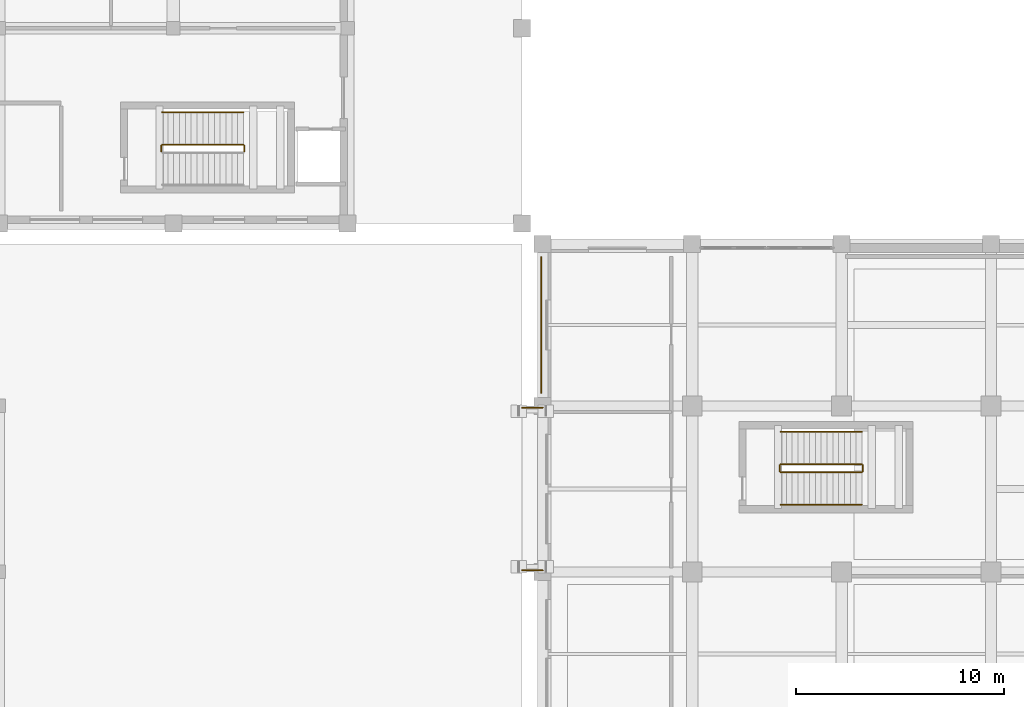
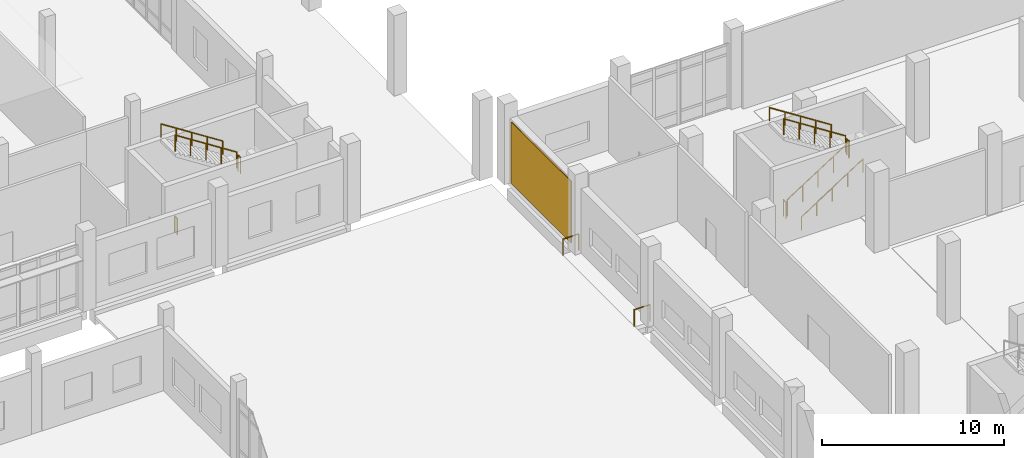
# One storey, part 75 of 79: 12 railings, 1 covering.
"""IFC4 building model written with IfcOpenShell, lengths in metres."""

import ifcopenshell
import ifcopenshell.guid

model = None  # the IFC model being written
_history = None  # IfcOwnerHistory: only IFC2X3 demands one
_inside = {}  # id of a spatial element -> (the spatial element, [elements in it])
_under = {}  # id of a project, library or spatial element -> (it, [spatial elements below it])
_declared = {}  # id of a project -> (the project, [libraries it declares])
_typed = {}  # id of a type object -> (the type object, [elements of that type])
_made_of = {}  # id of a material, layer set ... -> (it, [elements and type objects made of it])


def new_model(schema):
    """Start an empty IFC model of exactly this schema.

    Asked for "IFC4X3", IfcOpenShell would pick the latest addendum, in which some entities
    have other attributes; the version numbers below select the first issue.
    IFC2X3 requires an IfcOwnerHistory on every rooted entity: one is made here for all.
    """
    global model, _history
    if schema == "IFC4X3":
        model = ifcopenshell.file(schema_version=(4, 3, 0, 0))
    else:
        model = ifcopenshell.file(schema=schema)
    _inside.clear()
    _under.clear()
    _declared.clear()
    _typed.clear()
    _made_of.clear()
    _history = None
    if model.schema == "IFC2X3":
        org = make("IfcOrganization", Name="unknown")
        user = make(
            "IfcPersonAndOrganization",
            ThePerson=make("IfcPerson", FamilyName="unknown"),
            TheOrganization=org,
        )
        app = make(
            "IfcApplication",
            ApplicationDeveloper=org,
            Version="unknown",
            ApplicationFullName="unknown",
            ApplicationIdentifier="unknown",
        )
        _history = make(
            "IfcOwnerHistory",
            OwningUser=user,
            OwningApplication=app,
            ChangeAction="ADDED",
            CreationDate=0,
        )
    return model


def make(cls, **values):
    """One entity of the class cls with the attributes given. An attribute that is None is left unset."""
    return model.create_entity(
        cls, **{name: value for name, value in values.items() if value is not None}
    )


def rooted(cls, **values):
    """An entity with a GlobalId (a new one), such as an element, a storey or a relation."""
    return make(cls, GlobalId=ifcopenshell.guid.new(), OwnerHistory=_history, **values)


def si_unit(unit_type, name, prefix=None):
    """IfcSIUnit, for example si_unit("LENGTHUNIT", "METRE", prefix="MILLI")."""
    return make("IfcSIUnit", UnitType=unit_type, Prefix=prefix, Name=name)


def assignment(units):
    """IfcUnitAssignment: the units of a project."""
    return None if units is None else make("IfcUnitAssignment", Units=units)


def point(xyz):
    """IfcCartesianPoint."""
    return None if xyz is None else make("IfcCartesianPoint", Coordinates=xyz)


def direction(xyz):
    """IfcDirection."""
    return None if xyz is None else make("IfcDirection", DirectionRatios=xyz)


def frame(location, z_axis=None, x_axis=None):
    """IfcAxis2Placement3D, a coordinate frame: its origin and axes. An axis left out is left unset."""
    return make(
        "IfcAxis2Placement3D",
        Location=point(location),
        Axis=direction(z_axis),
        RefDirection=direction(x_axis),
    )


def frame_2d(location, x_axis=None):
    """IfcAxis2Placement2D, a coordinate frame in the plane: its origin and x axis."""
    return make(
        "IfcAxis2Placement2D", Location=point(location), RefDirection=direction(x_axis)
    )


def origin():
    """The frame at (0, 0, 0) with its axes left unset."""
    return frame((0.0, 0.0, 0.0))


def origin_2d():
    """The frame at (0, 0) in the plane with its x axis left unset."""
    return frame_2d((0.0, 0.0))


def place(relative_to, where):
    """IfcLocalPlacement: puts the frame where relative to a parent placement (None: the world)."""
    return make(
        "IfcLocalPlacement", PlacementRelTo=relative_to, RelativePlacement=where
    )


def context(
    kind, dimensions, precision=None, world=None, true_north=None, identifier=None
):
    """IfcGeometricRepresentationContext, for example the 3D "Model" context."""
    return make(
        "IfcGeometricRepresentationContext",
        ContextIdentifier=identifier,
        ContextType=kind,
        CoordinateSpaceDimension=dimensions,
        Precision=precision,
        WorldCoordinateSystem=world,
        TrueNorth=true_north,
    )


def subcontext(parent, identifier, kind, view, scale=None):
    """IfcGeometricRepresentationSubContext, for example "Body" below "Model"."""
    return make(
        "IfcGeometricRepresentationSubContext",
        ContextIdentifier=identifier,
        ContextType=kind,
        ParentContext=parent,
        TargetScale=scale,
        TargetView=view,
    )


def project(units=None, contexts=None):
    """IfcProject with its units and contexts."""
    return rooted(
        "IfcProject",
        Name="project",
        RepresentationContexts=contexts,
        UnitsInContext=assignment(units),
    )


def spatial(cls, under=None, at=None, **own):
    """A site, building, storey or space (cls), placed at a placement, below another one or the project."""
    s = rooted(cls, ObjectPlacement=at, **own)
    if under is not None:
        _under.setdefault(under.id(), (under, []))[1].append(s)
    return s


def profile(cls, at=None, kind="AREA", **sizes):
    """A parametric profile (cls). Its sizes go by their IFC names, for example OverallWidth=200.0."""
    return make(cls, ProfileType=kind, Position=at, **sizes)


def rectangle(**sizes):
    """IfcRectangleProfileDef."""
    return profile("IfcRectangleProfileDef", **sizes)


def circle(**sizes):
    """IfcCircleProfileDef."""
    return profile("IfcCircleProfileDef", **sizes)


def extrude(swept, where, along, depth):
    """IfcExtrudedAreaSolid: the profile swept, set in the frame where, extruded along a direction by depth."""
    return make(
        "IfcExtrudedAreaSolid",
        SweptArea=swept,
        Position=where,
        ExtrudedDirection=direction(along),
        Depth=depth,
    )


def shape(context_of_items, identifier, shape_type, items):
    """IfcShapeRepresentation: the items that make up one representation, for example the "Body"."""
    return make(
        "IfcShapeRepresentation",
        ContextOfItems=context_of_items,
        RepresentationIdentifier=identifier,
        RepresentationType=shape_type,
        Items=items,
    )


def material(Name=None, Category=None):
    """IfcMaterial."""
    return make("IfcMaterial", Name=Name, Category=Category)


def layer(
    of_material, thickness, ventilated=None, Name=None, Category=None, Priority=None
):
    """IfcMaterialLayer: one layer of a wall or slab, of a material (None: an air gap)."""
    return make(
        "IfcMaterialLayer",
        Material=of_material,
        LayerThickness=thickness,
        IsVentilated=ventilated,
        Name=Name,
        Category=Category,
        Priority=Priority,
    )


def layer_set(layers, Name=None):
    """IfcMaterialLayerSet."""
    return make("IfcMaterialLayerSet", MaterialLayers=layers, LayerSetName=Name)


def made_of(thing, what):
    """Note that an element or type object is made of a material, layer set ...; save() writes the relation."""
    if what is not None:
        _made_of.setdefault(what.id(), (what, []))[1].append(thing)
    return thing


def type_object(cls, material=None, **own):
    """A type object (cls), such as IfcWallType, which elements share."""
    return made_of(rooted(cls, **own), material)


def element(
    cls,
    number,
    at=None,
    inside=None,
    cuts=None,
    type_object=None,
    material=None,
    context=None,
    identifier="Body",
    shape_type=None,
    held_by="IfcProductDefinitionShape",
    body=None,
    shapes=None,
    **own,
):
    """One element of the class cls, such as IfcWall. Its Tag is "e" and its number.

    at: its placement. inside: the storey or other place that contains it. cuts: it is an
    opening in that element (IfcRelVoidsElement). A single representation is given by context,
    identifier, shape_type and body (its items); several are given by shapes. held_by: the class
    of the entity that holds the representations. save() writes the other relations.
    """
    e = rooted(cls, Tag="e%d" % number, ObjectPlacement=at, **own)
    if body is not None:
        shapes = [shape(context, identifier, shape_type, body)]
    if shapes is not None:
        e.Representation = make(held_by, Representations=shapes)
    if inside is not None:
        _inside.setdefault(inside.id(), (inside, []))[1].append(e)
    if cuts is not None:
        rooted(
            "IfcRelVoidsElement", RelatingBuildingElement=cuts, RelatedOpeningElement=e
        )
    if type_object is not None:
        _typed.setdefault(type_object.id(), (type_object, []))[1].append(e)
    return made_of(e, material)


def aggregate(whole, parts):
    """IfcRelAggregates: a whole, such as a stair, and the parts it consists of."""
    return rooted("IfcRelAggregates", RelatingObject=whole, RelatedObjects=parts)


def save(model, path):
    """Write the relations noted so far, then the file.

    IfcRelAggregates (storeys below a building ...), IfcRelContainedInSpatialStructure (elements
    in a storey), IfcRelDefinesByType, IfcRelAssociatesMaterial and IfcRelDeclares: one each for
    every whole, place, type object, material and project.
    """
    for whole, parts in _under.values():
        aggregate(whole, parts)
    for where, things in _inside.values():
        rooted(
            "IfcRelContainedInSpatialStructure",
            RelatedElements=things,
            RelatingStructure=where,
        )
    for kind, things in _typed.values():
        rooted("IfcRelDefinesByType", RelatedObjects=things, RelatingType=kind)
    for what, things in _made_of.values():
        rooted("IfcRelAssociatesMaterial", RelatedObjects=things, RelatingMaterial=what)
    for by, libraries in _declared.values():
        rooted("IfcRelDeclares", RelatingContext=by, RelatedDefinitions=libraries)
    model.write(path)


model = new_model("IFC4")

# Units and contexts
model_context = context("Model", 3, precision=1e-05, world=origin(), true_north=direction((0.0, 1.0)))
body_context = subcontext(model_context, "Body", "Model", "MODEL_VIEW")
ifc_project = project(units=[si_unit("LENGTHUNIT", "METRE"), si_unit("AREAUNIT", "SQUARE_METRE"), si_unit("VOLUMEUNIT", "CUBIC_METRE"), si_unit("PLANEANGLEUNIT", "RADIAN"), si_unit("MASSUNIT", "GRAM", prefix="KILO")], contexts=[model_context])

# Site, building, storey
site_placement = place(None, origin())
site = spatial("IfcSite", under=ifc_project, at=site_placement, CompositionType="ELEMENT")
building_placement = place(site_placement, origin())
building = spatial("IfcBuilding", under=site, at=building_placement, Name="Kelarvand Opera House", CompositionType="ELEMENT")
storey_placement = place(building_placement, origin())
storey = spatial("IfcBuildingStorey", under=building, at=storey_placement, Name="L00", CompositionType="ELEMENT", Elevation=0.0)

# Covering
ifc_material_1 = material(Name="Azarshahr buff travertine stone panels", Category="masonry")
ifc_layer = layer(ifc_material_1, 0.06005859375, Name="Azarshahr buff travertine stone panels", Category="masonry")
ifc_layer_set = layer_set([ifc_layer], Name="Azarshahr buff travertine stone panels")
covering_type = type_object("IfcCoveringType", Name="Azarshahr Honed Travertine Rainscreen Cladding 60mm", PredefinedType="CLADDING", material=ifc_layer_set)
covering_placement = place(storey_placement, frame((51.93408203125, 82.300048828125, 0.099853515625), z_axis=(0.0, 0.0, 1.0), x_axis=(0.0, 1.0, 0.0)))
element("IfcCovering", 1, at=covering_placement, inside=storey, type_object=covering_type, Name="V2 Travertine Facade Cladding 5", PredefinedType="CLADDING", context=body_context, shape_type="SweptSolid", body=[
    extrude(rectangle(XDim=6.580078125, YDim=0.06005859375, at=origin_2d()), origin(), (0.0, 0.0, 1.0), 4.14208984375),
])

# Railings
ifc_material_2 = material(Name="Brushed bronze tubular rail")
railing_type_1 = type_object("IfcRailingType", Name="Brushed Bronze Stair Wall Handrail 900", PredefinedType="HANDRAIL", material=ifc_material_2)
railing_1_placement = place(storey_placement, frame((63.4599609375, 73.64990234375, 0.179931640625)))
element("IfcRailing", 2, at=railing_1_placement, inside=storey, type_object=railing_type_1, Name="L00 ST-03 stair handrail 1", PredefinedType="HANDRAIL", context=body_context, shape_type="SweptSolid", body=[
    extrude(circle(Radius=0.02392578125, at=origin_2d()), frame((0.0, 0.0, 0.8759765625), z_axis=(0.841171666519, 0.0, 0.540768182723), x_axis=(0.0, 1.0, 0.0)), (0.0, 0.0, 1.0), 4.66015625),
    extrude(circle(Radius=0.02099609375, at=origin_2d()), origin(), (0.0, 0.0, 1.0), 0.851806640625),
    extrude(circle(Radius=0.02099609375, at=origin_2d()), frame((0.97998046875, 0.0, 0.6298828125)), (0.0, 0.0, 1.0), 0.851806640625),
    extrude(circle(Radius=0.02099609375, at=origin_2d()), frame((1.9599609375, 0.0, 1.260009765625)), (0.0, 0.0, 1.0), 0.851806640625),
    extrude(circle(Radius=0.02099609375, at=origin_2d()), frame((2.93994140625, 0.0, 1.89013671875)), (0.0, 0.0, 1.0), 0.851806640625),
    extrude(circle(Radius=0.02099609375, at=origin_2d()), frame((3.919921875, 0.0, 2.52001953125)), (0.0, 0.0, 1.0), 0.851806640625),
])
railing_2_placement = place(storey_placement, frame((67.3798828125, 77.14990234375, 2.8798828125)))
element("IfcRailing", 3, at=railing_2_placement, inside=storey, type_object=railing_type_1, Name="L00 ST-03 stair handrail 2", PredefinedType="HANDRAIL", context=body_context, shape_type="SweptSolid", body=[
    extrude(circle(Radius=0.02392578125, at=origin_2d()), frame((0.0, 0.0, 0.8759765625), z_axis=(-0.841171666519, 0.0, 0.540768182723), x_axis=(0.0, -1.0, 0.0)), (0.0, 0.0, 1.0), 4.66015625),
    extrude(circle(Radius=0.02099609375, at=origin_2d()), origin(), (0.0, 0.0, 1.0), 0.851806640625),
    extrude(circle(Radius=0.02099609375, at=origin_2d()), frame((-0.97998046875, 0.0, 0.6298828125)), (0.0, 0.0, 1.0), 0.851806640625),
    extrude(circle(Radius=0.02099609375, at=origin_2d()), frame((-1.9599609375, 0.0, 1.260009765625)), (0.0, 0.0, 1.0), 0.851806640625),
    extrude(circle(Radius=0.02099609375, at=origin_2d()), frame((-2.93994140625, 0.0, 1.89013671875)), (0.0, 0.0, 1.0), 0.851806640625),
    extrude(circle(Radius=0.02099609375, at=origin_2d()), frame((-3.919921875, 0.0, 2.52001953125)), (0.0, 0.0, 1.0), 0.851806640625),
])
railing_3_placement = place(storey_placement, frame((37.580078125, 92.550048828125, 2.8798828125)))
element("IfcRailing", 4, at=railing_3_placement, inside=storey, type_object=railing_type_1, Name="L00 ST-05 stair handrail 2", PredefinedType="HANDRAIL", context=body_context, shape_type="SweptSolid", body=[
    extrude(circle(Radius=0.02392578125, at=origin_2d()), frame((0.0, 0.0, 0.8759765625), z_axis=(-0.841186985886, 0.0, 0.540744352514), x_axis=(0.0, -1.0, 0.0)), (0.0, 0.0, 1.0), 4.660400390625),
    extrude(circle(Radius=0.02099609375, at=origin_2d()), origin(), (0.0, 0.0, 1.0), 0.851806640625),
    extrude(circle(Radius=0.02099609375, at=origin_2d()), frame((-0.97998046875, 0.0, 0.6298828125)), (0.0, 0.0, 1.0), 0.851806640625),
    extrude(circle(Radius=0.02099609375, at=origin_2d()), frame((-1.9599609375, 0.0, 1.260009765625)), (0.0, 0.0, 1.0), 0.851806640625),
    extrude(circle(Radius=0.02099609375, at=origin_2d()), frame((-2.940185546875, 0.0, 1.89013671875)), (0.0, 0.0, 1.0), 0.851806640625),
    extrude(circle(Radius=0.02099609375, at=origin_2d()), frame((-3.920166015625, 0.0, 2.52001953125)), (0.0, 0.0, 1.0), 0.851806640625),
])
ifc_material_3 = material(Name="Laminated safety glass with bronze cap rail", Category="glass")
railing_type_2 = type_object("IfcRailingType", Name="Laminated Glass and Bronze Foyer Balustrade 1120", PredefinedType="BALUSTRADE", material=ifc_material_3)
for number, where, name in (
    (5, (51.0, 70.47998046875, 0.0), "V1 L00 Balustrade 123"),
    (6, (51.0, 78.320068359375, 0.0), "V1 L00 Balustrade 124"),
):
    element("IfcRailing", number, at=place(storey_placement, frame(where)), inside=storey, type_object=railing_type_2, Name=name, PredefinedType="BALUSTRADE", context=body_context, shape_type="SweptSolid", body=[
        extrude(circle(Radius=0.02392578125, at=origin_2d()), frame((0.0, 0.0, 1.09619140625), z_axis=(1.0, 0.0, 0.0), x_axis=(0.0, 1.0, 0.0)), (0.0, 0.0, 1.0), 1.0),
        extrude(circle(Radius=0.02099609375, at=origin_2d()), origin(), (0.0, 0.0, 1.0), 1.072021484375),
        extrude(circle(Radius=0.02099609375, at=origin_2d()), frame((1.0, 0.0, 0.0)), (0.0, 0.0, 1.0), 1.072021484375),
    ])
ifc_material_4 = material(Name="Powder-coated Steel S355", Category="steel")
railing_type_3 = type_object("IfcRailingType", Name="Painted Steel Stair and Void Guardrail 1100", PredefinedType="GUARDRAIL", material=ifc_material_4)
railing_4_placement = place(storey_placement, frame((63.4599609375, 75.2099609375, 0.179931640625)))
element("IfcRailing", 7, at=railing_4_placement, inside=storey, type_object=railing_type_3, Name="L00 ST-03 stair guard 1", PredefinedType="GUARDRAIL", context=body_context, shape_type="SweptSolid", body=[
    extrude(circle(Radius=0.02392578125, at=origin_2d()), frame((0.0, 0.0, 1.076171875), z_axis=(0.841171666519, 0.0, 0.540768182723), x_axis=(0.0, 1.0, 0.0)), (0.0, 0.0, 1.0), 4.66015625),
    extrude(circle(Radius=0.02099609375, at=origin_2d()), origin(), (0.0, 0.0, 1.0), 1.052001953125),
    extrude(circle(Radius=0.02099609375, at=origin_2d()), frame((0.97998046875, 0.0, 0.6298828125)), (0.0, 0.0, 1.0), 1.052001953125),
    extrude(circle(Radius=0.02099609375, at=origin_2d()), frame((1.9599609375, 0.0, 1.260009765625)), (0.0, 0.0, 1.0), 1.052001953125),
    extrude(circle(Radius=0.02099609375, at=origin_2d()), frame((2.93994140625, 0.0, 1.89013671875)), (0.0, 0.0, 1.0), 1.052001953125),
    extrude(circle(Radius=0.02099609375, at=origin_2d()), frame((3.919921875, 0.0, 2.52001953125)), (0.0, 0.0, 1.0), 1.052001953125),
])
railing_5_placement = place(storey_placement, frame((67.429931640625, 75.260009765625, 2.699951171875)))
element("IfcRailing", 8, at=railing_5_placement, inside=storey, type_object=railing_type_3, Name="L00 ST-03 stair guard 2", PredefinedType="GUARDRAIL", context=body_context, shape_type="SweptSolid", body=[
    extrude(circle(Radius=0.02392578125, at=origin_2d()), frame((0.0, 0.0, 1.076171875), z_axis=(0.0, 1.0, 0.0), x_axis=(-1.0, 0.0, 0.0)), (0.0, 0.0, 1.0), 0.280029296875),
    extrude(circle(Radius=0.02099609375, at=origin_2d()), origin(), (0.0, 0.0, 1.0), 1.052001953125),
    extrude(circle(Radius=0.02099609375, at=origin_2d()), frame((0.0, 0.280029296875, 0.0)), (0.0, 0.0, 1.0), 1.052001953125),
])
railing_6_placement = place(storey_placement, frame((67.3798828125, 75.590087890625, 2.8798828125)))
element("IfcRailing", 9, at=railing_6_placement, inside=storey, type_object=railing_type_3, Name="L00 ST-03 stair guard 3", PredefinedType="GUARDRAIL", context=body_context, shape_type="SweptSolid", body=[
    extrude(circle(Radius=0.02392578125, at=origin_2d()), frame((0.0, 0.0, 1.076171875), z_axis=(-0.841171666519, 0.0, 0.540768182723), x_axis=(0.0, -1.0, 0.0)), (0.0, 0.0, 1.0), 4.66015625),
    extrude(circle(Radius=0.02099609375, at=origin_2d()), origin(), (0.0, 0.0, 1.0), 1.052001953125),
    extrude(circle(Radius=0.02099609375, at=origin_2d()), frame((-0.97998046875, 0.0, 0.6298828125)), (0.0, 0.0, 1.0), 1.052001953125),
    extrude(circle(Radius=0.02099609375, at=origin_2d()), frame((-1.9599609375, 0.0, 1.260009765625)), (0.0, 0.0, 1.0), 1.052001953125),
    extrude(circle(Radius=0.02099609375, at=origin_2d()), frame((-2.93994140625, 0.0, 1.89013671875)), (0.0, 0.0, 1.0), 1.052001953125),
    extrude(circle(Radius=0.02099609375, at=origin_2d()), frame((-3.919921875, 0.0, 2.52001953125)), (0.0, 0.0, 1.0), 1.052001953125),
])
for number, where, name in (
    (10, (63.409912109375, 75.260009765625, 0.0), "L00 ST-03 stair guard 4"),
    (11, (37.6298828125, 90.659912109375, 2.699951171875), "L00 ST-05 stair guard 2"),
):
    element("IfcRailing", number, at=place(storey_placement, frame(where)), inside=storey, type_object=railing_type_3, Name=name, PredefinedType="GUARDRAIL", context=body_context, shape_type="SweptSolid", body=[
        extrude(circle(Radius=0.02392578125, at=origin_2d()), frame((0.0, 0.0, 1.076171875), z_axis=(0.0, 1.0, 0.0), x_axis=(-1.0, 0.0, 0.0)), (0.0, 0.0, 1.0), 0.280029296875),
        extrude(circle(Radius=0.02099609375, at=origin_2d()), origin(), (0.0, 0.0, 1.0), 1.052001953125),
        extrude(circle(Radius=0.02099609375, at=origin_2d()), frame((0.0, 0.280029296875, 0.0)), (0.0, 0.0, 1.0), 1.052001953125),
    ])
railing_7_placement = place(storey_placement, frame((37.580078125, 90.989990234375, 2.8798828125)))
element("IfcRailing", 12, at=railing_7_placement, inside=storey, type_object=railing_type_3, Name="L00 ST-05 stair guard 3", PredefinedType="GUARDRAIL", context=body_context, shape_type="SweptSolid", body=[
    extrude(circle(Radius=0.02392578125, at=origin_2d()), frame((0.0, 0.0, 1.076171875), z_axis=(-0.841186985886, 0.0, 0.540744352514), x_axis=(0.0, -1.0, 0.0)), (0.0, 0.0, 1.0), 4.660400390625),
    extrude(circle(Radius=0.02099609375, at=origin_2d()), origin(), (0.0, 0.0, 1.0), 1.052001953125),
    extrude(circle(Radius=0.02099609375, at=origin_2d()), frame((-0.97998046875, 0.0, 0.6298828125)), (0.0, 0.0, 1.0), 1.052001953125),
    extrude(circle(Radius=0.02099609375, at=origin_2d()), frame((-1.9599609375, 0.0, 1.260009765625)), (0.0, 0.0, 1.0), 1.052001953125),
    extrude(circle(Radius=0.02099609375, at=origin_2d()), frame((-2.940185546875, 0.0, 1.89013671875)), (0.0, 0.0, 1.0), 1.052001953125),
    extrude(circle(Radius=0.02099609375, at=origin_2d()), frame((-3.920166015625, 0.0, 2.52001953125)), (0.0, 0.0, 1.0), 1.052001953125),
])
railing_8_placement = place(storey_placement, frame((33.610107421875, 90.659912109375, 0.0)))
element("IfcRailing", 13, at=railing_8_placement, inside=storey, type_object=railing_type_3, Name="L00 ST-05 stair guard 4", PredefinedType="GUARDRAIL", context=body_context, shape_type="SweptSolid", body=[
    extrude(circle(Radius=0.02392578125, at=origin_2d()), frame((0.0, 0.0, 1.076171875), z_axis=(0.0, 1.0, 0.0), x_axis=(-1.0, 0.0, 0.0)), (0.0, 0.0, 1.0), 0.280029296875),
    extrude(circle(Radius=0.02099609375, at=origin_2d()), origin(), (0.0, 0.0, 1.0), 1.052001953125),
    extrude(circle(Radius=0.02099609375, at=origin_2d()), frame((0.0, 0.280029296875, 0.0)), (0.0, 0.0, 1.0), 1.052001953125),
])

save(model, "model.ifc")
